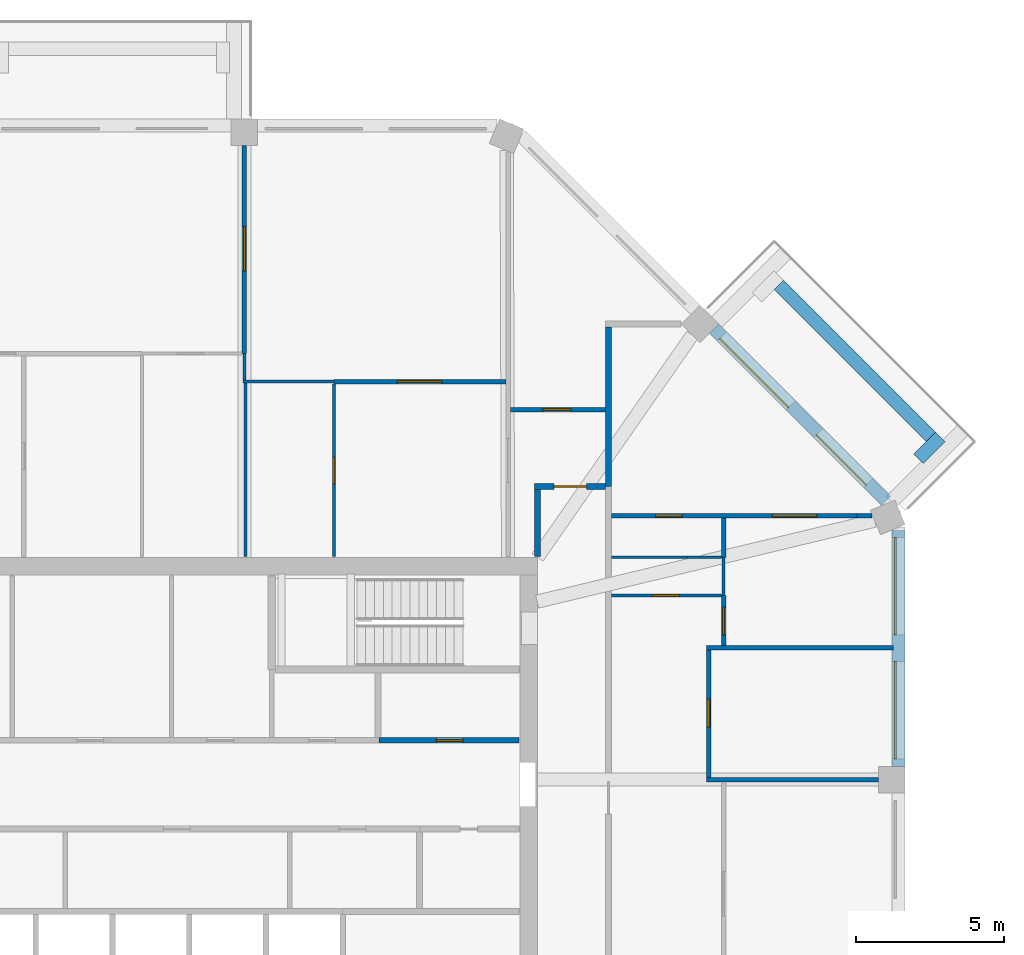
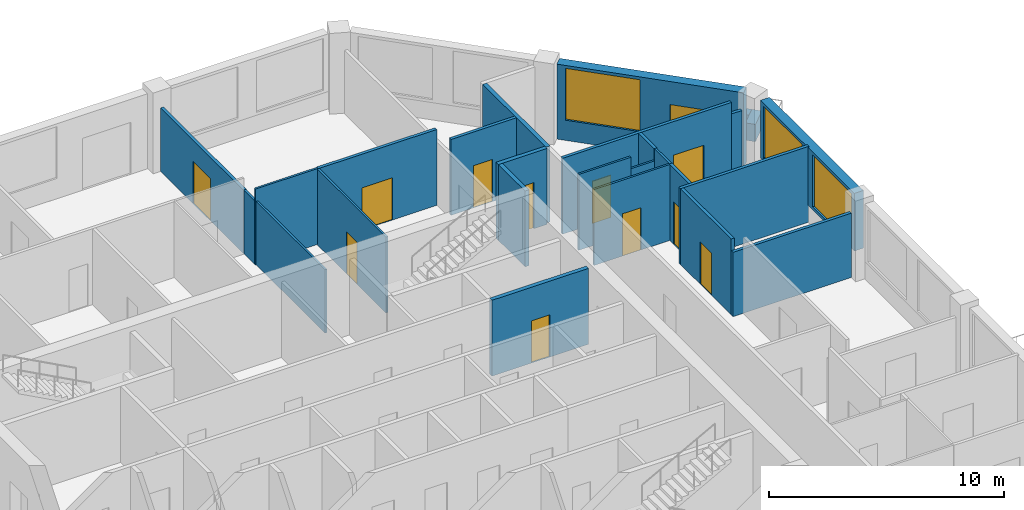
# One storey, part 9 of 11: 26 walls, 12 doors, 3 windows, 15 openings.
"""IFC4 building model written with IfcOpenShell, lengths in metres."""

from ifc_helpers import new_model, si_unit, direction, frame, frame_2d, origin, place, context, subcontext, project, spatial, rectangle, extrude, material, layer, layer_set, type_object, element, fill, save


model = new_model("IFC4")

# Units and contexts
model_context = context("Model", 3, precision=1e-05, world=origin(), true_north=direction((0.0, 1.0)))
body_context = subcontext(model_context, "Body", "Model", "MODEL_VIEW")
ifc_project = project(units=[si_unit("LENGTHUNIT", "METRE"), si_unit("AREAUNIT", "SQUARE_METRE"), si_unit("VOLUMEUNIT", "CUBIC_METRE"), si_unit("PLANEANGLEUNIT", "RADIAN"), si_unit("MASSUNIT", "GRAM", prefix="KILO")], contexts=[model_context])

# Site, building, storey
site_placement = place(None, origin())
site = spatial("IfcSite", under=ifc_project, at=site_placement, CompositionType="ELEMENT")
building_placement = place(site_placement, origin())
building = spatial("IfcBuilding", under=site, at=building_placement, Name="Msitu Wima Residences", CompositionType="ELEMENT")
storey_placement = place(building_placement, frame((0.0, 0.0, 302.10009765625)))
storey = spatial("IfcBuildingStorey", under=building, at=storey_placement, Name="L70", CompositionType="ELEMENT", Elevation=302.10009765625)

# Walls
ifc_material_1 = material(Name="Facing brick")
ifc_layer_1 = layer(ifc_material_1, 0.06494140625, Name="Facing brick")
ifc_material_2 = material(Name="Concrete C40/50", Category="concrete")
ifc_layer_2 = layer(ifc_material_2, 0.156005859375, Name="Concrete C40/50")
ifc_material_3 = material(Name="Waterproofing membrane")
ifc_layer_3 = layer(ifc_material_3, 0.00390625, Name="Waterproofing membrane")
ifc_material_4 = material(Name="Planting soil and planting")
ifc_layer_4 = layer(ifc_material_4, 0.22509765625, Name="Planting soil and planting")
ifc_layer_set_1 = layer_set([ifc_layer_1, ifc_layer_2, ifc_layer_3, ifc_layer_4], Name="Concrete C40/50")
wall_type_1 = type_object("IfcWallType", Name="Balcony planter PLANTER PL450", PredefinedType="USERDEFINED", material=ifc_layer_set_1)
wall_1_placement = place(storey_placement, frame((27.725830078125, 16.0751953125, 0.0), z_axis=(0.0, 0.0, 1.0), x_axis=(-0.707106781187, 0.707106781187, 0.0)))
element("IfcWall", 1, at=wall_1_placement, inside=storey, type_object=wall_type_1, Name="Balcony planter NE0 L70", ObjectType="PLANTER", PredefinedType="USERDEFINED", context=body_context, shape_type="SweptSolid", body=[
    extrude(rectangle(XDim=7.288330078125, YDim=0.449951171875, at=frame_2d((3.64404296875, 0.0))), origin(), (0.0, 0.0, 1.0), 0.89990234375),
])
wall_2_placement = place(storey_placement, frame((27.301513671875, 15.332763671875, 0.0), z_axis=(0.0, 0.0, 1.0), x_axis=(0.707106781187, 0.707106781187, 0.0)))
element("IfcWall", 2, at=wall_2_placement, inside=storey, type_object=wall_type_1, Name="Balcony planter NE0 L70", ObjectType="PLANTER", PredefinedType="USERDEFINED", context=body_context, shape_type="SweptSolid", body=[
    extrude(rectangle(XDim=1.050048828125, YDim=0.449951171875, at=frame_2d((0.52490234375, 0.0))), origin(), (0.0, 0.0, 1.0), 0.89990234375),
])

# Wall, openings, windows
ifc_material_5 = material(Name="Brick (red buff mix)", Category="masonry")
ifc_layer_5 = layer(ifc_material_5, 0.449951171875)
ifc_layer_set_2 = layer_set([ifc_layer_5], Name="Brick (red buff mix)")
wall_type_2 = type_object("IfcWallType", Name="Brick infill wall BW450", PredefinedType="SOLIDWALL", material=ifc_layer_set_2)
wall_3_placement = place(storey_placement, frame((26.625, 4.918701171875, 0.89990234375), z_axis=(0.0, 0.0, 1.0), x_axis=(0.0, 1.0, 0.0)))
wall_3 = element("IfcWall", 3, at=wall_3_placement, inside=storey, type_object=wall_type_2, Name="Brick infill wall L70 E2", PredefinedType="SOLIDWALL", context=body_context, shape_type="SweptSolid", body=[
    extrude(rectangle(XDim=8.0, YDim=0.449951171875, at=frame_2d((4.0, 0.0))), origin(), (0.0, 0.0, 1.0), 3.0),
])
opening_1_placement = place(wall_3_placement, frame((0.25, 0.0, 0.14990234375)))
opening_1 = element("IfcOpeningElement", 4, at=opening_1_placement, cuts=wall_3, Name="Opening W68-70.004", PredefinedType="OPENING", context=body_context, shape_type="SweptSolid", body=[
    extrude(rectangle(XDim=3.300048828125, YDim=2.699951171875, at=frame_2d((1.64990234375, 1.35009765625))), frame((0.0, 0.23486328125, 0.0), z_axis=(0.0, -1.0, 0.0), x_axis=(1.0, 0.0, 0.0)), (0.0, 0.0, 1.0), 0.469970703125),
])
opening_2_placement = place(wall_3_placement, frame((4.4501953125, 0.0, 0.14990234375)))
opening_2 = element("IfcOpeningElement", 5, at=opening_2_placement, cuts=wall_3, Name="Opening W68-70.005", PredefinedType="OPENING", context=body_context, shape_type="SweptSolid", body=[
    extrude(rectangle(XDim=3.300048828125, YDim=2.699951171875, at=frame_2d((1.64990234375, 1.35009765625))), frame((0.0, 0.23486328125, 0.0), z_axis=(0.0, -1.0, 0.0), x_axis=(1.0, 0.0, 0.0)), (0.0, 0.0, 1.0), 0.469970703125),
])
ifc_material_6 = material(Name="Anodised aluminium, bronze finish, clear low-emissivity double glazing", Category="aluminium")
window_type = type_object("IfcWindowType", Name="Window W3300x2700", PartitioningType="DOUBLE_PANEL_VERTICAL", PredefinedType="WINDOW", material=ifc_material_6)
window_1_placement = place(opening_1_placement, origin())
window_1 = element("IfcWindow", 6, at=window_1_placement, inside=storey, type_object=window_type, Name="Window L70 E2.1", OverallHeight=2.699951171875, OverallWidth=3.300048828125, PartitioningType="SINGLE_PANEL", PredefinedType="WINDOW", context=body_context, shape_type="SweptSolid", body=[
    extrude(rectangle(XDim=3.300048828125, YDim=2.699951171875, at=frame_2d((1.64990234375, 1.35009765625))), frame((0.0, 0.135009765625, 0.0), z_axis=(0.0, -1.0, 0.0), x_axis=(1.0, 0.0, 0.0)), (0.0, 0.0, 1.0), 0.06005859375),
])
fill(opening_1, window_1)
window_2_placement = place(opening_2_placement, origin())
window_2 = element("IfcWindow", 7, at=window_2_placement, inside=storey, type_object=window_type, Name="Window L70 E2.2", OverallHeight=2.699951171875, OverallWidth=3.300048828125, PartitioningType="SINGLE_PANEL", PredefinedType="WINDOW", context=body_context, shape_type="SweptSolid", body=[
    extrude(rectangle(XDim=3.300048828125, YDim=2.699951171875, at=frame_2d((1.64990234375, 1.35009765625))), frame((0.0, 0.135009765625, 0.0), z_axis=(0.0, -1.0, 0.0), x_axis=(1.0, 0.0, 0.0)), (0.0, 0.0, 1.0), 0.06005859375),
])
fill(opening_2, window_2)

# Wall, openings, door, window
wall_4_placement = place(storey_placement, frame((26.214599609375, 13.909423828125, 0.0), z_axis=(0.0, 0.0, 1.0), x_axis=(-0.707106781187, 0.707106781187, 0.0)))
wall_4 = element("IfcWall", 8, at=wall_4_placement, inside=storey, type_object=wall_type_2, Name="Brick infill wall L70 NE0", PredefinedType="SOLIDWALL", context=body_context, shape_type="SweptSolid", body=[
    extrude(rectangle(XDim=8.251220703125, YDim=0.449951171875, at=frame_2d((4.12548828125, 0.0))), origin(), (0.0, 0.0, 1.0), 3.89990234375),
])
opening_3_placement = place(wall_4_placement, frame((0.86279296875, 0.0, 0.0)))
opening_3 = element("IfcOpeningElement", 9, at=opening_3_placement, cuts=wall_4, Name="Opening D68-70.003", PredefinedType="OPENING", context=body_context, shape_type="SweptSolid", body=[
    extrude(rectangle(XDim=2.39990234375, YDim=2.699951171875, at=frame_2d((1.199951171875, 1.35009765625))), frame((0.0, 0.23486328125, 0.0), z_axis=(0.0, -1.0, 0.0), x_axis=(1.0, 0.0, 0.0)), (0.0, 0.0, 1.0), 0.469970703125),
])
opening_4_placement = place(wall_4_placement, frame((4.57568359375, 0.0, 1.050048828125)))
opening_4 = element("IfcOpeningElement", 10, at=opening_4_placement, cuts=wall_4, Name="Opening W68-70.011", PredefinedType="OPENING", context=body_context, shape_type="SweptSolid", body=[
    extrude(rectangle(XDim=3.300048828125, YDim=2.699951171875, at=frame_2d((1.64990234375, 1.35009765625))), frame((0.0, 0.23486328125, 0.0), z_axis=(0.0, -1.0, 0.0), x_axis=(1.0, 0.0, 0.0)), (0.0, 0.0, 1.0), 0.469970703125),
])
door_type_1 = type_object("IfcDoorType", Name="Balcony door D2400x2700", OperationType="SLIDING_TO_LEFT", PredefinedType="DOOR", material=ifc_material_6)
door_1_placement = place(opening_3_placement, origin())
door_1 = element("IfcDoor", 11, at=door_1_placement, inside=storey, type_object=door_type_1, Name="Balcony door L70 NE0", OperationType="SINGLE_SWING_LEFT", OverallHeight=2.699951171875, OverallWidth=2.39990234375, PredefinedType="DOOR", context=body_context, shape_type="SweptSolid", body=[
    extrude(rectangle(XDim=2.39990234375, YDim=2.699951171875, at=frame_2d((1.199951171875, 1.35009765625))), frame((0.0, 0.1298828125, 0.0), z_axis=(0.0, -1.0, 0.0), x_axis=(1.0, 0.0, 0.0)), (0.0, 0.0, 1.0), 0.050048828125),
])
fill(opening_3, door_1)
window_3_placement = place(opening_4_placement, origin())
window_3 = element("IfcWindow", 12, at=window_3_placement, inside=storey, type_object=window_type, Name="Window L70 NE0.2", OverallHeight=2.699951171875, OverallWidth=3.300048828125, PartitioningType="SINGLE_PANEL", PredefinedType="WINDOW", context=body_context, shape_type="SweptSolid", body=[
    extrude(rectangle(XDim=3.300048828125, YDim=2.699951171875, at=frame_2d((1.64990234375, 1.35009765625))), frame((0.0, 0.135009765625, 0.0), z_axis=(0.0, -1.0, 0.0), x_axis=(1.0, 0.0, 0.0)), (0.0, 0.0, 1.0), 0.06005859375),
])
fill(opening_4, window_3)

# Wall
ifc_material_7 = material(Name="Plaster")
ifc_layer_6 = layer(ifc_material_7, 0.011962890625, Name="Plaster")
ifc_material_8 = material(Name="Concrete blockwork", Category="masonry")
ifc_layer_7 = layer(ifc_material_8, 0.176025390625, Name="Concrete blockwork")
ifc_layer_8 = layer(ifc_material_7, 0.011962890625, Name="Plaster")
ifc_layer_set_3 = layer_set([ifc_layer_6, ifc_layer_7, ifc_layer_8], Name="Concrete blockwork")
wall_type_3 = type_object("IfcWallType", Name="Corridor wall FW200", PredefinedType="PARTITIONING", material=ifc_layer_set_3)
wall_5_placement = place(storey_placement, frame((14.39990234375, 12.030029296875, 0.0), z_axis=(0.0, 0.0, 1.0), x_axis=(0.0, 1.0, 0.0)))
element("IfcWall", 13, at=wall_5_placement, inside=storey, type_object=wall_type_3, Name="Corridor wall", PredefinedType="PARTITIONING", context=body_context, shape_type="SweptSolid", body=[
    extrude(rectangle(XDim=2.27001953125, YDim=0.199951171875, at=frame_2d((1.135009765625, 0.0))), origin(), (0.0, 0.0, 1.0), 3.949951171875),
])

# Wall, opening, door
wall_6_placement = place(storey_placement, frame((14.300048828125, 14.39990234375, 0.0), z_axis=(0.0, 0.0, 1.0), x_axis=(1.0, 0.0, 0.0)))
wall_6 = element("IfcWall", 14, at=wall_6_placement, inside=storey, type_object=wall_type_3, Name="Corridor wall", PredefinedType="PARTITIONING", context=body_context, shape_type="SweptSolid", body=[
    extrude(rectangle(XDim=2.39990234375, YDim=0.199951171875, at=frame_2d((1.199951171875, 0.0))), origin(), (0.0, 0.0, 1.0), 3.949951171875),
])
opening_5_placement = place(wall_6_placement, frame((0.64990234375, 0.0, 0.0)))
opening_5 = element("IfcOpeningElement", 15, at=opening_5_placement, cuts=wall_6, Name="Opening D68-70.021", PredefinedType="OPENING", context=body_context, shape_type="SweptSolid", body=[
    extrude(rectangle(XDim=1.10009765625, YDim=2.39990234375, at=frame_2d((0.550048828125, 1.199951171875))), frame((0.0, 0.10986328125, 0.0), z_axis=(0.0, -1.0, 0.0), x_axis=(1.0, 0.0, 0.0)), (0.0, 0.0, 1.0), 0.219970703125),
])
ifc_material_9 = material(Name="Timber flush door, fire resisting, self-closing", Category="wood")
door_type_2 = type_object("IfcDoorType", Name="Flat entrance door D01 1100x2400", OperationType="SINGLE_SWING_LEFT", PredefinedType="DOOR", material=ifc_material_9)
door_2_placement = place(opening_5_placement, origin())
door_2 = element("IfcDoor", 16, at=door_2_placement, inside=storey, type_object=door_type_2, Name="Flat entrance door", OperationType="SINGLE_SWING_RIGHT", OverallHeight=2.39990234375, OverallWidth=1.10009765625, PredefinedType="DOOR", context=body_context, shape_type="SweptSolid", body=[
    extrude(rectangle(XDim=1.10009765625, YDim=2.39990234375, at=frame_2d((0.550048828125, 1.199951171875))), frame((0.0, 0.02490234375, 0.0), z_axis=(0.0, -1.0, 0.0), x_axis=(1.0, 0.0, 0.0)), (0.0, 0.0, 1.0), 0.050048828125),
])
fill(opening_5, door_2)

ifc_layer_9 = layer(ifc_material_7, 0.011962890625, Name="Plaster")
ifc_layer_10 = layer(ifc_material_8, 0.1259765625, Name="Concrete blockwork")
ifc_layer_11 = layer(ifc_material_7, 0.011962890625, Name="Plaster")
ifc_layer_set_4 = layer_set([ifc_layer_9, ifc_layer_10, ifc_layer_11], Name="Concrete blockwork")
wall_type_4 = type_object("IfcWallType", Name="Partition PW150", PredefinedType="PARTITIONING", material=ifc_layer_set_4)
wall_7_placement = place(storey_placement, frame((4.46875, 18.89990234375, 0.0), z_axis=(0.0, 0.0, 1.0), x_axis=(0.0, 1.0, 0.0)))
wall_7 = element("IfcWall", 17, at=wall_7_placement, inside=storey, type_object=wall_type_4, Name="Partition", PredefinedType="PARTITIONING", context=body_context, shape_type="SweptSolid", body=[
    extrude(rectangle(XDim=7.050048828125, YDim=0.14990234375, at=frame_2d((3.52490234375, 0.0))), origin(), (0.0, 0.0, 1.0), 3.2998046875),
])
opening_6_placement = place(wall_7_placement, frame((2.800048828125, 0.0, 0.0)))
opening_6 = element("IfcOpeningElement", 18, at=opening_6_placement, cuts=wall_7, Name="Opening D68-70.029", PredefinedType="OPENING", context=body_context, shape_type="SweptSolid", body=[
    extrude(rectangle(XDim=1.5, YDim=2.199951171875, at=frame_2d((0.75, 1.10009765625))), frame((0.0, 0.0849609375, 0.0), z_axis=(0.0, -1.0, 0.0), x_axis=(1.0, 0.0, 0.0)), (0.0, 0.0, 1.0), 0.169921875),
])
ifc_material_10 = material(Name="Timber double door", Category="wood")
door_type_3 = type_object("IfcDoorType", Name="Double door D04 1500x2200", OperationType="DOUBLE_DOOR_SINGLE_SWING", PredefinedType="DOOR", material=ifc_material_10)
door_3_placement = place(opening_6_placement, origin())
door_3 = element("IfcDoor", 19, at=door_3_placement, inside=storey, type_object=door_type_3, Name="Double door", OperationType="DOUBLE_DOOR_SINGLE_SWING", OverallHeight=2.199951171875, OverallWidth=1.5, PredefinedType="DOOR", context=body_context, shape_type="SweptSolid", body=[
    extrude(rectangle(XDim=1.5, YDim=2.199951171875, at=frame_2d((0.75, 1.10009765625))), frame((0.0, 0.02490234375, 0.0), z_axis=(0.0, -1.0, 0.0), x_axis=(1.0, 0.0, 0.0)), (0.0, 0.0, 1.0), 0.050048828125),
])
fill(opening_6, door_3)

wall_8_placement = place(storey_placement, frame((7.5, 17.949951171875, 0.0), z_axis=(0.0, 0.0, 1.0), x_axis=(1.0, 0.0, 0.0)))
wall_8 = element("IfcWall", 20, at=wall_8_placement, inside=storey, type_object=wall_type_4, Name="Partition", PredefinedType="PARTITIONING", context=body_context, shape_type="SweptSolid", body=[
    extrude(rectangle(XDim=5.830810546875, YDim=0.14990234375, at=frame_2d((2.91552734375, 0.0))), origin(), (0.0, 0.0, 1.0), 3.949951171875),
])
opening_7_placement = place(wall_8_placement, frame((2.14990234375, 0.0, 0.0)))
opening_7 = element("IfcOpeningElement", 21, at=opening_7_placement, cuts=wall_8, Name="Opening D68-70.026", PredefinedType="OPENING", context=body_context, shape_type="SweptSolid", body=[
    extrude(rectangle(XDim=1.5, YDim=2.199951171875, at=frame_2d((0.75, 1.10009765625))), frame((0.0, 0.0849609375, 0.0), z_axis=(0.0, -1.0, 0.0), x_axis=(1.0, 0.0, 0.0)), (0.0, 0.0, 1.0), 0.169921875),
])
door_4_placement = place(opening_7_placement, origin())
door_4 = element("IfcDoor", 22, at=door_4_placement, inside=storey, type_object=door_type_3, Name="Double door", OperationType="DOUBLE_DOOR_SINGLE_SWING", OverallHeight=2.199951171875, OverallWidth=1.5, PredefinedType="DOOR", context=body_context, shape_type="SweptSolid", body=[
    extrude(rectangle(XDim=1.5, YDim=2.199951171875, at=frame_2d((0.75, 1.10009765625))), frame((0.0, 0.02490234375, 0.0), z_axis=(0.0, -1.0, 0.0), x_axis=(1.0, 0.0, 0.0)), (0.0, 0.0, 1.0), 0.050048828125),
])
fill(opening_7, door_4)

wall_9_placement = place(storey_placement, frame((13.48095703125, 17.0, 0.0), z_axis=(0.0, 0.0, 1.0), x_axis=(1.0, 0.0, 0.0)))
wall_9 = element("IfcWall", 23, at=wall_9_placement, inside=storey, type_object=wall_type_4, Name="Partition", PredefinedType="PARTITIONING", context=body_context, shape_type="SweptSolid", body=[
    extrude(rectangle(XDim=3.218994140625, YDim=0.14990234375, at=frame_2d((1.609375, 0.0))), origin(), (0.0, 0.0, 1.0), 3.949951171875),
])
opening_8_placement = place(wall_9_placement, frame((1.10009765625, 0.0, 0.0)))
opening_8 = element("IfcOpeningElement", 24, at=opening_8_placement, cuts=wall_9, Name="Opening D68-70.027", PredefinedType="OPENING", context=body_context, shape_type="SweptSolid", body=[
    extrude(rectangle(XDim=0.949951171875, YDim=2.199951171875, at=frame_2d((0.47509765625, 1.10009765625))), frame((0.0, 0.0849609375, 0.0), z_axis=(0.0, -1.0, 0.0), x_axis=(1.0, 0.0, 0.0)), (0.0, 0.0, 1.0), 0.169921875),
])
ifc_material_11 = material(Name="Timber flush door", Category="wood")
door_type_4 = type_object("IfcDoorType", Name="Room door D12 950x2200", OperationType="SINGLE_SWING_LEFT", PredefinedType="DOOR", material=ifc_material_11)
door_5_placement = place(opening_8_placement, origin())
door_5 = element("IfcDoor", 25, at=door_5_placement, inside=storey, type_object=door_type_4, Name="Room door", OperationType="SINGLE_SWING_LEFT", OverallHeight=2.199951171875, OverallWidth=0.949951171875, PredefinedType="DOOR", context=body_context, shape_type="SweptSolid", body=[
    extrude(rectangle(XDim=0.949951171875, YDim=2.199951171875, at=frame_2d((0.47509765625, 1.10009765625))), frame((0.0, 0.02490234375, 0.0), z_axis=(0.0, -1.0, 0.0), x_axis=(1.0, 0.0, 0.0)), (0.0, 0.0, 1.0), 0.050048828125),
])
fill(opening_8, door_5)

# Wall, openings, doors
wall_10_placement = place(storey_placement, frame((16.89990234375, 13.406005859375, 0.0), z_axis=(0.0, 0.0, 1.0), x_axis=(1.0, 0.0, 0.0)))
wall_10 = element("IfcWall", 26, at=wall_10_placement, inside=storey, type_object=wall_type_4, Name="Partition", PredefinedType="PARTITIONING", context=body_context, shape_type="SweptSolid", body=[
    extrude(rectangle(XDim=8.32421875, YDim=0.14990234375, at=frame_2d((4.162109375, 0.0))), origin(), (0.0, 0.0, 1.0), 3.949951171875),
])
opening_9_placement = place(wall_10_placement, frame((5.449951171875, 0.0, 0.0)))
opening_9 = element("IfcOpeningElement", 27, at=opening_9_placement, cuts=wall_10, Name="Opening D68-70.017", PredefinedType="OPENING", context=body_context, shape_type="SweptSolid", body=[
    extrude(rectangle(XDim=1.5, YDim=2.199951171875, at=frame_2d((0.75, 1.10009765625))), frame((0.0, 0.0849609375, 0.0), z_axis=(0.0, -1.0, 0.0), x_axis=(1.0, 0.0, 0.0)), (0.0, 0.0, 1.0), 0.169921875),
])
opening_10_placement = place(wall_10_placement, frame((1.5, 0.0, 0.0)))
opening_10 = element("IfcOpeningElement", 28, at=opening_10_placement, cuts=wall_10, Name="Opening D68-70.019", PredefinedType="OPENING", context=body_context, shape_type="SweptSolid", body=[
    extrude(rectangle(XDim=0.89990234375, YDim=2.199951171875, at=frame_2d((0.449951171875, 1.10009765625))), frame((0.0, 0.0849609375, 0.0), z_axis=(0.0, -1.0, 0.0), x_axis=(1.0, 0.0, 0.0)), (0.0, 0.0, 1.0), 0.169921875),
])
door_6_placement = place(opening_9_placement, origin())
door_6 = element("IfcDoor", 29, at=door_6_placement, inside=storey, type_object=door_type_3, Name="Double door", OperationType="DOUBLE_DOOR_SINGLE_SWING", OverallHeight=2.199951171875, OverallWidth=1.5, PredefinedType="DOOR", context=body_context, shape_type="SweptSolid", body=[
    extrude(rectangle(XDim=1.5, YDim=2.199951171875, at=frame_2d((0.75, 1.10009765625))), frame((0.0, 0.02490234375, 0.0), z_axis=(0.0, -1.0, 0.0), x_axis=(1.0, 0.0, 0.0)), (0.0, 0.0, 1.0), 0.050048828125),
])
fill(opening_9, door_6)
door_type_5 = type_object("IfcDoorType", Name="Service door D05 900x2200", OperationType="SINGLE_SWING_LEFT", PredefinedType="DOOR", material=ifc_material_11)
door_7_placement = place(opening_10_placement, origin())
door_7 = element("IfcDoor", 30, at=door_7_placement, inside=storey, type_object=door_type_5, Name="Service door", OperationType="SINGLE_SWING_LEFT", OverallHeight=2.199951171875, OverallWidth=0.89990234375, PredefinedType="DOOR", context=body_context, shape_type="SweptSolid", body=[
    extrude(rectangle(XDim=0.89990234375, YDim=2.199951171875, at=frame_2d((0.449951171875, 1.10009765625))), frame((0.0, 0.02490234375, 0.0), z_axis=(0.0, -1.0, 0.0), x_axis=(1.0, 0.0, 0.0)), (0.0, 0.0, 1.0), 0.050048828125),
])
fill(opening_10, door_7)

# Wall
wall_11_placement = place(storey_placement, frame((25.22412109375, 13.406005859375, 0.0), z_axis=(0.0, 0.0, 1.0), x_axis=(1.0, 0.0, 0.0)))
element("IfcWall", 31, at=wall_11_placement, inside=storey, type_object=wall_type_4, Name="Partition", PredefinedType="PARTITIONING", context=body_context, shape_type="SweptSolid", body=[
    extrude(rectangle(XDim=0.507080078125, YDim=0.14990234375, at=frame_2d((0.25341796875, 0.0))), origin(), (0.0, 0.0, 1.0), 3.349853515625),
])

# Wall, opening, door
wall_12_placement = place(storey_placement, frame((20.199951171875, 4.543701171875, 0.0), z_axis=(0.0, 0.0, 1.0), x_axis=(0.0, 1.0, 0.0)))
wall_12 = element("IfcWall", 32, at=wall_12_placement, inside=storey, type_object=wall_type_4, Name="Partition", PredefinedType="PARTITIONING", context=body_context, shape_type="SweptSolid", body=[
    extrude(rectangle(XDim=4.318603515625, YDim=0.14990234375, at=frame_2d((2.1591796875, 0.0))), origin(), (0.0, 0.0, 1.0), 3.949951171875),
])
opening_11_placement = place(wall_12_placement, frame((1.699951171875, 0.0, 0.0)))
opening_11 = element("IfcOpeningElement", 33, at=opening_11_placement, cuts=wall_12, Name="Opening D68-70.015", PredefinedType="OPENING", context=body_context, shape_type="SweptSolid", body=[
    extrude(rectangle(XDim=0.949951171875, YDim=2.199951171875, at=frame_2d((0.47509765625, 1.10009765625))), frame((0.0, 0.0849609375, 0.0), z_axis=(0.0, -1.0, 0.0), x_axis=(1.0, 0.0, 0.0)), (0.0, 0.0, 1.0), 0.169921875),
])
door_8_placement = place(opening_11_placement, origin())
door_8 = element("IfcDoor", 34, at=door_8_placement, inside=storey, type_object=door_type_4, Name="Room door", OperationType="SINGLE_SWING_LEFT", OverallHeight=2.199951171875, OverallWidth=0.949951171875, PredefinedType="DOOR", context=body_context, shape_type="SweptSolid", body=[
    extrude(rectangle(XDim=0.949951171875, YDim=2.199951171875, at=frame_2d((0.47509765625, 1.10009765625))), frame((0.0, 0.02490234375, 0.0), z_axis=(0.0, -1.0, 0.0), x_axis=(1.0, 0.0, 0.0)), (0.0, 0.0, 1.0), 0.050048828125),
])
fill(opening_11, door_8)

# Walls
wall_13_placement = place(storey_placement, frame((20.125, 4.46875, 0.0), z_axis=(0.0, 0.0, 1.0), x_axis=(1.0, 0.0, 0.0)))
element("IfcWall", 35, at=wall_13_placement, inside=storey, type_object=wall_type_4, Name="Partition", PredefinedType="PARTITIONING", context=body_context, shape_type="SweptSolid", body=[
    extrude(rectangle(XDim=5.824951171875, YDim=0.14990234375, at=frame_2d((2.91259765625, 0.0))), origin(), (0.0, 0.0, 1.0), 3.349853515625),
])
wall_14_placement = place(storey_placement, frame((20.125, 8.937255859375, 0.0), z_axis=(0.0, 0.0, 1.0), x_axis=(1.0, 0.0, 0.0)))
element("IfcWall", 36, at=wall_14_placement, inside=storey, type_object=wall_type_4, Name="Partition", PredefinedType="PARTITIONING", context=body_context, shape_type="SweptSolid", body=[
    extrude(rectangle(XDim=6.330078125, YDim=0.14990234375, at=frame_2d((3.1650390625, 0.0))), origin(), (0.0, 0.0, 1.0), 3.949951171875),
])

# Wall, opening, door
wall_15_placement = place(storey_placement, frame((20.699951171875, 9.01220703125, 0.0), z_axis=(0.0, 0.0, 1.0), x_axis=(0.0, 1.0, 0.0)))
wall_15 = element("IfcWall", 37, at=wall_15_placement, inside=storey, type_object=wall_type_4, Name="Partition", PredefinedType="PARTITIONING", context=body_context, shape_type="SweptSolid", body=[
    extrude(rectangle(XDim=1.687744140625, YDim=0.14990234375, at=frame_2d((0.84375, 0.0))), origin(), (0.0, 0.0, 1.0), 3.949951171875),
])
opening_12_placement = place(wall_15_placement, frame((0.35009765625, 0.0, 0.0)))
opening_12 = element("IfcOpeningElement", 38, at=opening_12_placement, cuts=wall_15, Name="Opening D68-70.016", PredefinedType="OPENING", context=body_context, shape_type="SweptSolid", body=[
    extrude(rectangle(XDim=0.949951171875, YDim=2.199951171875, at=frame_2d((0.47509765625, 1.10009765625))), frame((0.0, 0.0849609375, 0.0), z_axis=(0.0, -1.0, 0.0), x_axis=(1.0, 0.0, 0.0)), (0.0, 0.0, 1.0), 0.169921875),
])
door_9_placement = place(opening_12_placement, origin())
door_9 = element("IfcDoor", 39, at=door_9_placement, inside=storey, type_object=door_type_4, Name="Room door", OperationType="SINGLE_SWING_RIGHT", OverallHeight=2.199951171875, OverallWidth=0.949951171875, PredefinedType="DOOR", context=body_context, shape_type="SweptSolid", body=[
    extrude(rectangle(XDim=0.949951171875, YDim=2.199951171875, at=frame_2d((0.47509765625, 1.10009765625))), frame((0.0, 0.02490234375, 0.0), z_axis=(0.0, -1.0, 0.0), x_axis=(1.0, 0.0, 0.0)), (0.0, 0.0, 1.0), 0.050048828125),
])
fill(opening_12, door_9)

# Walls
wall_16_placement = place(storey_placement, frame((20.699951171875, 12.0, 0.0), z_axis=(0.0, 0.0, 1.0), x_axis=(0.0, 1.0, 0.0)))
element("IfcWall", 40, at=wall_16_placement, inside=storey, type_object=wall_type_4, Name="Partition", PredefinedType="PARTITIONING", context=body_context, shape_type="SweptSolid", body=[
    extrude(rectangle(XDim=1.330810546875, YDim=0.14990234375, at=frame_2d((0.66552734375, 0.0))), origin(), (0.0, 0.0, 1.0), 3.949951171875),
])
ifc_layer_12 = layer(ifc_material_7, 0.011962890625, Name="Plaster")
ifc_material_12 = material(Name="Dense concrete blockwork", Category="masonry")
ifc_layer_13 = layer(ifc_material_12, 0.176025390625, Name="Dense concrete blockwork")
ifc_layer_14 = layer(ifc_material_7, 0.011962890625, Name="Plaster")
ifc_layer_set_5 = layer_set([ifc_layer_12, ifc_layer_13, ifc_layer_14], Name="Dense concrete blockwork")
wall_type_5 = type_object("IfcWallType", Name="Party wall PW200", PredefinedType="PARTITIONING", material=ifc_layer_set_5)
wall_17_placement = place(storey_placement, frame((16.800048828125, 14.39990234375, 0.0), z_axis=(0.0, 0.0, 1.0), x_axis=(0.0, 1.0, 0.0)))
element("IfcWall", 41, at=wall_17_placement, inside=storey, type_object=wall_type_5, Name="Party wall", PredefinedType="PARTITIONING", context=body_context, shape_type="SweptSolid", body=[
    extrude(rectangle(XDim=5.403076171875, YDim=0.199951171875, at=frame_2d((2.70166015625, 0.0))), origin(), (0.0, 0.0, 1.0), 3.949951171875),
])

# Wall, opening, door
ifc_layer_15 = layer(ifc_material_7, 0.011962890625, Name="Plaster")
ifc_material_13 = material(Name="Reinforced concrete blockwork", Category="masonry")
ifc_layer_16 = layer(ifc_material_13, 0.176025390625, Name="Reinforced concrete blockwork")
ifc_layer_17 = layer(ifc_material_7, 0.011962890625, Name="Plaster")
ifc_layer_set_6 = layer_set([ifc_layer_15, ifc_layer_16, ifc_layer_17], Name="Reinforced concrete blockwork")
wall_type_6 = type_object("IfcWallType", Name="Plant and riser wall PL200", PredefinedType="PARTITIONING", material=ifc_layer_set_6)
wall_18_placement = place(storey_placement, frame((9.02001953125, 5.800048828125, 0.0), z_axis=(0.0, 0.0, 1.0), x_axis=(1.0, 0.0, 0.0)))
wall_18 = element("IfcWall", 42, at=wall_18_placement, inside=storey, type_object=wall_type_6, Name="Plant and riser wall", PredefinedType="PARTITIONING", context=body_context, shape_type="SweptSolid", body=[
    extrude(rectangle(XDim=4.75, YDim=0.199951171875, at=frame_2d((2.375, 0.0))), origin(), (0.0, 0.0, 1.0), 3.949951171875),
])
opening_13_placement = place(wall_18_placement, frame((1.949951171875, 0.0, 0.0)))
opening_13 = element("IfcOpeningElement", 43, at=opening_13_placement, cuts=wall_18, Name="Opening D68-70.066", PredefinedType="OPENING", context=body_context, shape_type="SweptSolid", body=[
    extrude(rectangle(XDim=0.89990234375, YDim=2.199951171875, at=frame_2d((0.449951171875, 1.10009765625))), frame((0.0, 0.10986328125, 0.0), z_axis=(0.0, -1.0, 0.0), x_axis=(1.0, 0.0, 0.0)), (0.0, 0.0, 1.0), 0.219970703125),
])
door_10_placement = place(opening_13_placement, origin())
door_10 = element("IfcDoor", 44, at=door_10_placement, inside=storey, type_object=door_type_5, Name="Service door", OperationType="SINGLE_SWING_LEFT", OverallHeight=2.199951171875, OverallWidth=0.89990234375, PredefinedType="DOOR", context=body_context, shape_type="SweptSolid", body=[
    extrude(rectangle(XDim=0.89990234375, YDim=2.199951171875, at=frame_2d((0.449951171875, 1.10009765625))), frame((0.0, 0.02490234375, 0.0), z_axis=(0.0, -1.0, 0.0), x_axis=(1.0, 0.0, 0.0)), (0.0, 0.0, 1.0), 0.050048828125),
])
fill(opening_13, door_10)

# Walls
ifc_material_14 = material(Name="Ceramic tiles")
ifc_layer_18 = layer(ifc_material_14, 0.008056640625, Name="Ceramic tiles")
ifc_material_15 = material(Name="Moisture-resistant board")
ifc_layer_19 = layer(ifc_material_15, 0.012451171875, Name="Moisture-resistant board")
ifc_material_16 = material(Name="Light-gauge stud framing with mineral wool")
ifc_layer_20 = layer(ifc_material_16, 0.06689453125, Name="Light-gauge stud framing with mineral wool")
ifc_layer_21 = layer(ifc_material_15, 0.012451171875, Name="Moisture-resistant board")
ifc_layer_set_7 = layer_set([ifc_layer_18, ifc_layer_19, ifc_layer_20, ifc_layer_21], Name="Light-gauge stud framing with mineral wool")
wall_type_7 = type_object("IfcWallType", Name="Wet wall PW100", PredefinedType="PARTITIONING", material=ifc_layer_set_7)
wall_19_placement = place(storey_placement, frame((4.46875, 18.0, 0.0), z_axis=(0.0, 0.0, 1.0), x_axis=(0.0, 1.0, 0.0)))
element("IfcWall", 45, at=wall_19_placement, inside=storey, type_object=wall_type_7, Name="Wet wall", PredefinedType="PARTITIONING", context=body_context, shape_type="SweptSolid", body=[
    extrude(rectangle(XDim=0.89990234375, YDim=0.10009765625, at=frame_2d((0.449951171875, 0.0))), origin(), (0.0, 0.0, 1.0), 3.2998046875),
])
wall_20_placement = place(storey_placement, frame((4.418701171875, 17.949951171875, 0.0), z_axis=(0.0, 0.0, 1.0), x_axis=(1.0, 0.0, 0.0)))
element("IfcWall", 46, at=wall_20_placement, inside=storey, type_object=wall_type_7, Name="Wet wall", PredefinedType="PARTITIONING", context=body_context, shape_type="SweptSolid", body=[
    extrude(rectangle(XDim=3.081298828125, YDim=0.10009765625, at=frame_2d((1.54052734375, 0.0))), origin(), (0.0, 0.0, 1.0), 3.949951171875),
])
wall_21_placement = place(storey_placement, frame((4.5, 12.030029296875, 0.0), z_axis=(0.0, 0.0, 1.0), x_axis=(0.0, 1.0, 0.0)))
element("IfcWall", 47, at=wall_21_placement, inside=storey, type_object=wall_type_7, Name="Wet wall", PredefinedType="PARTITIONING", context=body_context, shape_type="SweptSolid", body=[
    extrude(rectangle(XDim=5.869873046875, YDim=0.10009765625, at=frame_2d((2.93505859375, 0.0))), origin(), (0.0, 0.0, 1.0), 3.2998046875),
])

# Wall, opening, door
wall_22_placement = place(storey_placement, frame((7.5, 12.030029296875, 0.0), z_axis=(0.0, 0.0, 1.0), x_axis=(0.0, 1.0, 0.0)))
wall_22 = element("IfcWall", 48, at=wall_22_placement, inside=storey, type_object=wall_type_7, Name="Wet wall", PredefinedType="PARTITIONING", context=body_context, shape_type="SweptSolid", body=[
    extrude(rectangle(XDim=5.844970703125, YDim=0.10009765625, at=frame_2d((2.92236328125, 0.0))), origin(), (0.0, 0.0, 1.0), 3.949951171875),
])
opening_14_placement = place(wall_22_placement, frame((2.449951171875, 0.0, 0.0)))
opening_14 = element("IfcOpeningElement", 49, at=opening_14_placement, cuts=wall_22, Name="Opening D68-70.028", PredefinedType="OPENING", context=body_context, shape_type="SweptSolid", body=[
    extrude(rectangle(XDim=0.89990234375, YDim=2.199951171875, at=frame_2d((0.449951171875, 1.10009765625))), frame((0.0, 0.06005859375, 0.0), z_axis=(0.0, -1.0, 0.0), x_axis=(1.0, 0.0, 0.0)), (0.0, 0.0, 1.0), 0.1201171875),
])
ifc_material_17 = material(Name="Timber flush door, moisture resistant", Category="wood")
door_type_6 = type_object("IfcDoorType", Name="Bathroom door D03 900x2200", OperationType="SINGLE_SWING_LEFT", PredefinedType="DOOR", material=ifc_material_17)
door_11_placement = place(opening_14_placement, origin())
door_11 = element("IfcDoor", 50, at=door_11_placement, inside=storey, type_object=door_type_6, Name="Bathroom door", OperationType="SINGLE_SWING_LEFT", OverallHeight=2.199951171875, OverallWidth=0.89990234375, PredefinedType="DOOR", context=body_context, shape_type="SweptSolid", body=[
    extrude(rectangle(XDim=0.89990234375, YDim=2.199951171875, at=frame_2d((0.449951171875, 1.10009765625))), frame((0.0, 0.02490234375, 0.0), z_axis=(0.0, -1.0, 0.0), x_axis=(1.0, 0.0, 0.0)), (0.0, 0.0, 1.0), 0.050048828125),
])
fill(opening_14, door_11)

wall_23_placement = place(storey_placement, frame((16.89990234375, 10.699951171875, 0.0), z_axis=(0.0, 0.0, 1.0), x_axis=(1.0, 0.0, 0.0)))
wall_23 = element("IfcWall", 51, at=wall_23_placement, inside=storey, type_object=wall_type_7, Name="Wet wall", PredefinedType="PARTITIONING", context=body_context, shape_type="SweptSolid", body=[
    extrude(rectangle(XDim=3.72509765625, YDim=0.10009765625, at=frame_2d((1.862548828125, 0.0))), origin(), (0.0, 0.0, 1.0), 3.949951171875),
])
opening_15_placement = place(wall_23_placement, frame((1.39990234375, 0.0, 0.0)))
opening_15 = element("IfcOpeningElement", 52, at=opening_15_placement, cuts=wall_23, Name="Opening D68-70.013", PredefinedType="OPENING", context=body_context, shape_type="SweptSolid", body=[
    extrude(rectangle(XDim=0.89990234375, YDim=2.199951171875, at=frame_2d((0.449951171875, 1.10009765625))), frame((0.0, 0.06005859375, 0.0), z_axis=(0.0, -1.0, 0.0), x_axis=(1.0, 0.0, 0.0)), (0.0, 0.0, 1.0), 0.1201171875),
])
door_12_placement = place(opening_15_placement, origin())
door_12 = element("IfcDoor", 53, at=door_12_placement, inside=storey, type_object=door_type_6, Name="Bathroom door", OperationType="SINGLE_SWING_LEFT", OverallHeight=2.199951171875, OverallWidth=0.89990234375, PredefinedType="DOOR", context=body_context, shape_type="SweptSolid", body=[
    extrude(rectangle(XDim=0.89990234375, YDim=2.199951171875, at=frame_2d((0.449951171875, 1.10009765625))), frame((0.0, 0.02490234375, 0.0), z_axis=(0.0, -1.0, 0.0), x_axis=(1.0, 0.0, 0.0)), (0.0, 0.0, 1.0), 0.050048828125),
])
fill(opening_15, door_12)

# Walls
wall_24_placement = place(storey_placement, frame((16.89990234375, 12.0, 0.0), z_axis=(0.0, 0.0, 1.0), x_axis=(1.0, 0.0, 0.0)))
element("IfcWall", 54, at=wall_24_placement, inside=storey, type_object=wall_type_7, Name="Wet wall", PredefinedType="PARTITIONING", context=body_context, shape_type="SweptSolid", body=[
    extrude(rectangle(XDim=2.57421875, YDim=0.10009765625, at=frame_2d((1.287109375, 0.0))), origin(), (0.0, 0.0, 1.0), 3.949951171875),
])
wall_25_placement = place(storey_placement, frame((19.47412109375, 12.0, 0.0), z_axis=(0.0, 0.0, 1.0), x_axis=(1.0, 0.0, 0.0)))
element("IfcWall", 55, at=wall_25_placement, inside=storey, type_object=wall_type_7, Name="Wet wall", PredefinedType="PARTITIONING", context=body_context, shape_type="SweptSolid", body=[
    extrude(rectangle(XDim=1.15087890625, YDim=0.10009765625, at=frame_2d((0.575439453125, 0.0))), origin(), (0.0, 0.0, 1.0), 3.349853515625),
])
wall_26_placement = place(storey_placement, frame((20.699951171875, 10.699951171875, 0.0), z_axis=(0.0, 0.0, 1.0), x_axis=(0.0, 1.0, 0.0)))
element("IfcWall", 56, at=wall_26_placement, inside=storey, type_object=wall_type_7, Name="Wet wall", PredefinedType="PARTITIONING", context=body_context, shape_type="SweptSolid", body=[
    extrude(rectangle(XDim=1.300048828125, YDim=0.10009765625, at=frame_2d((0.64990234375, 0.0))), origin(), (0.0, 0.0, 1.0), 3.949951171875),
])

save(model, "model.ifc")
